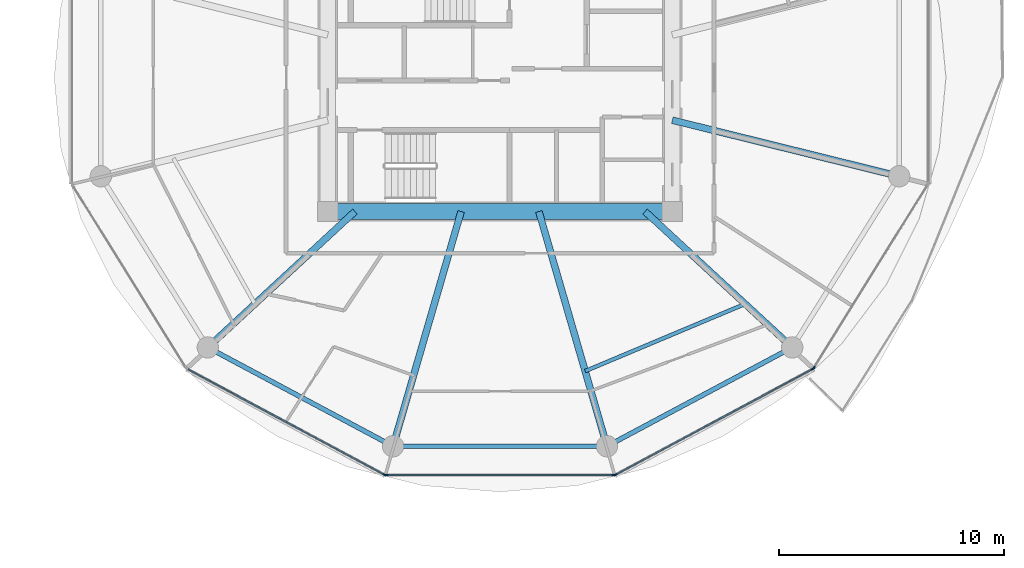
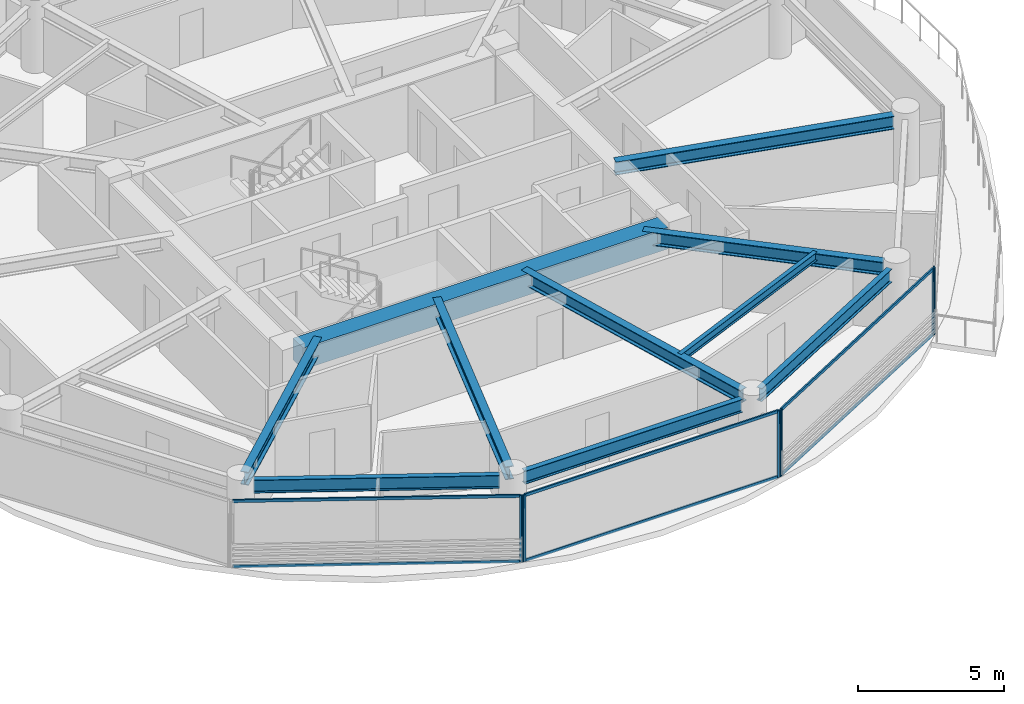
# One storey, part 11 of 28: 12 members, 10 beams, 4 elements without a shape of their own.
"""IFC4 building model written with IfcOpenShell, lengths in metres."""

from ifc_helpers import new_model, si_unit, direction, frame, origin, origin_2d, place, context, subcontext, project, spatial, rectangle, i_section, extrude, source, transform, mapped, material, layer, layer_set, material_profile, profile_set, type_object, type_shapes, element, aggregate, save


model = new_model("IFC4")

# Units and contexts
model_context = context("Model", 3, precision=1e-05, world=origin(), true_north=direction((0.0, 1.0)))
body_context = subcontext(model_context, "Body", "Model", "MODEL_VIEW")
ifc_project = project(units=[si_unit("LENGTHUNIT", "METRE"), si_unit("AREAUNIT", "SQUARE_METRE"), si_unit("VOLUMEUNIT", "CUBIC_METRE"), si_unit("PLANEANGLEUNIT", "RADIAN"), si_unit("MASSUNIT", "GRAM", prefix="KILO")], contexts=[model_context])

# Site, building, storey
site_placement = place(None, origin())
site = spatial("IfcSite", under=ifc_project, at=site_placement, CompositionType="ELEMENT")
building_placement = place(site_placement, origin())
building = spatial("IfcBuilding", under=site, at=building_placement, Name="Norrkilde Senior Care Towers", CompositionType="ELEMENT")
storey_placement = place(building_placement, frame((0.0, 0.0, 39.89990234375)))
storey = spatial("IfcBuildingStorey", under=building, at=storey_placement, Name="L11", CompositionType="ELEMENT", Elevation=39.89990234375)

# Beams
ifc_material_1 = material(Name="Concrete C60/75", Category="concrete")
ifc_material_profile_1 = material_profile(ifc_material_1, rectangle(XDim=0.699951171875, YDim=0.89990234375, at=origin_2d()), Name="RC BM 700x900")
ifc_profile_set_1 = profile_set([ifc_material_profile_1], Name="Concrete C60/75")
beam_type_1 = type_object("IfcBeamType", Name="Core Coupling Girder 700x900", PredefinedType="USERDEFINED", material=ifc_profile_set_1)
shared_shape_1 = source(origin(), body_context, "Body", "SweptSolid", [
    extrude(rectangle(XDim=0.699951171875, YDim=0.89990234375, at=origin_2d()), origin(), (0.0, 0.0, 1.0), 14.43994140625),
])
type_shapes(beam_type_1, [shared_shape_1])
beam_1_placement = place(storey_placement, frame((20.780029296875, -5.949951171875, 2.340087890625), z_axis=(1.0, 0.0, 0.0), x_axis=(0.0, 1.0, 0.0)))
element("IfcBeam", 1, at=beam_1_placement, inside=storey, type_object=beam_type_1, Name="L11 Core E S Coupling Girder", ObjectType="GIRDER", PredefinedType="USERDEFINED", context=body_context, shape_type="MappedRepresentation", body=[
    mapped(shared_shape_1, transform((0.0, 0.0, 0.0), x_axis=(1.0, 0.0, 0.0), y_axis=(0.0, 1.0, 0.0), z_axis=(0.0, 0.0, 1.0), scale=1.0)),
])
ifc_material_2 = material(Name="Steel S355", Category="steel")
ifc_material_profile_2 = material_profile(ifc_material_2, i_section(OverallWidth=0.300048828125, OverallDepth=0.550048828125, WebThickness=0.014892578125, FlangeThickness=0.029052734375, FilletRadius=0.027099609375, at=origin_2d()), Name="HEB 550")
ifc_profile_set_2 = profile_set([ifc_material_profile_2], Name="Steel S355")
beam_type_2 = type_object("IfcBeamType", Name="Radial Floor Beam Z1 HEB550", PredefinedType="BEAM", material=ifc_profile_set_2)
shared_shape_2 = source(origin(), body_context, "Body", "SweptSolid", [
    extrude(i_section(OverallWidth=0.300048828125, OverallDepth=0.550048828125, WebThickness=0.014892578125, FlangeThickness=0.029052734375, FilletRadius=0.027099609375, at=origin_2d()), origin(), (0.0, 0.0, 1.0), 9.94384765625),
])
beam_2_placement = place(storey_placement, frame((35.64990234375, -1.893310546875, 2.51513671875), z_axis=(0.970707425182, -0.240264634718, 0.0), x_axis=(0.240264634718, 0.970707425182, 0.0)))
element("IfcBeam", 2, at=beam_2_placement, inside=storey, type_object=beam_type_2, Name="L11 Drum E Radial Floor Beam 12", PredefinedType="BEAM", context=body_context, shape_type="MappedRepresentation", body=[
    mapped(shared_shape_2, transform((0.0, 0.0, 0.0), x_axis=(1.0, 0.0, 0.0), y_axis=(0.0, 1.0, 0.0), z_axis=(0.0, 0.0, 1.0), scale=1.0)),
])
ifc_material_profile_3 = material_profile(ifc_material_2, i_section(OverallWidth=0.2099609375, OverallDepth=0.550048828125, WebThickness=0.010986328125, FlangeThickness=0.01708984375, FilletRadius=0.02392578125, at=origin_2d()), Name="IPE 550")
ifc_profile_set_3 = profile_set([ifc_material_profile_3], Name="Steel S355")
beam_type_3 = type_object("IfcBeamType", Name="Perimeter Ring Spandrel Z1 IPE550", PredefinedType="SPANDREL", material=ifc_profile_set_3)
shared_shape_3 = source(origin(), body_context, "Body", "SweptSolid", [
    extrude(i_section(OverallWidth=0.2099609375, OverallDepth=0.550048828125, WebThickness=0.010986328125, FlangeThickness=0.01708984375, FilletRadius=0.02392578125, at=origin_2d()), origin(), (0.0, 0.0, 1.0), 8.452880859375),
])
for number, where, z_axis, x_axis, name in (
    (3, (15.408447265625, -12.190185546875, 2.51513671875), (0.882368931134, -0.470558252898, 0.0), (0.470558252898, 0.882368931134, 0.0), "L11 Drum E Perimeter Spandrel 08"),
    (4, (33.133056640625, -16.167724609375, 2.51513671875), (0.882368931134, 0.470558252898, 0.0), (-0.470558252898, 0.882368931134, 0.0), "L11 Drum E Perimeter Spandrel 10"),
):
    element("IfcBeam", number, at=place(storey_placement, frame(where, z_axis=z_axis, x_axis=x_axis)), inside=storey, type_object=beam_type_3, Name=name, PredefinedType="SPANDREL", context=body_context, shape_type="MappedRepresentation", body=[
        mapped(shared_shape_3, transform((0.0, 0.0, 0.0), x_axis=(1.0, 0.0, 0.0), y_axis=(0.0, 1.0, 0.0), z_axis=(0.0, 0.0, 1.0), scale=1.0)),
    ])
shared_shape_4 = source(origin(), body_context, "Body", "SweptSolid", [
    extrude(i_section(OverallWidth=0.300048828125, OverallDepth=0.550048828125, WebThickness=0.014892578125, FlangeThickness=0.029052734375, FilletRadius=0.027099609375, at=origin_2d()), origin(), (0.0, 0.0, 1.0), 8.459716796875),
])
for number, where, z_axis, x_axis, name in (
    (5, (21.55859375, -5.949951171875, 2.51513671875), (-0.734573269108, -0.678529374686, 0.0), (0.678529374686, -0.734573269108, 0.0), "L11 Drum E Radial Floor Beam 08"),
    (6, (34.44140625, -5.949951171875, 2.51513671875), (0.734573269108, -0.678529374686, 0.0), (0.678529374686, 0.734573269108, 0.0), "L11 Drum E Radial Floor Beam 11"),
):
    element("IfcBeam", number, at=place(storey_placement, frame(where, z_axis=z_axis, x_axis=x_axis)), inside=storey, type_object=beam_type_2, Name=name, PredefinedType="BEAM", context=body_context, shape_type="MappedRepresentation", body=[
        mapped(shared_shape_4, transform((0.0, 0.0, 0.0), x_axis=(1.0, 0.0, 0.0), y_axis=(0.0, 1.0, 0.0), z_axis=(0.0, 0.0, 1.0), scale=1.0)),
    ])
shared_shape_5 = source(origin(), body_context, "Body", "SweptSolid", [
    extrude(i_section(OverallWidth=0.2099609375, OverallDepth=0.550048828125, WebThickness=0.010986328125, FlangeThickness=0.01708984375, FilletRadius=0.02392578125, at=origin_2d()), origin(), (0.0, 0.0, 1.0), 8.62841796875),
])
type_shapes(beam_type_3, [shared_shape_3, shared_shape_5])
beam_3_placement = place(storey_placement, frame((23.685791015625, -16.37255859375, 2.51513671875), z_axis=(1.0, 0.0, 0.0), x_axis=(0.0, 1.0, 0.0)))
element("IfcBeam", 7, at=beam_3_placement, inside=storey, type_object=beam_type_3, Name="L11 Drum E Perimeter Spandrel 09", PredefinedType="SPANDREL", context=body_context, shape_type="MappedRepresentation", body=[
    mapped(shared_shape_5, transform((0.0, 0.0, 0.0), x_axis=(1.0, 0.0, 0.0), y_axis=(0.0, 1.0, 0.0), z_axis=(0.0, 0.0, 1.0), scale=1.0)),
])
shared_shape_6 = source(origin(), body_context, "Body", "SweptSolid", [
    extrude(i_section(OverallWidth=0.300048828125, OverallDepth=0.550048828125, WebThickness=0.014892578125, FlangeThickness=0.029052734375, FilletRadius=0.027099609375, at=origin_2d()), origin(), (0.0, 0.0, 1.0), 10.4169921875),
])
type_shapes(beam_type_2, [shared_shape_2, shared_shape_4, shared_shape_6])
for number, where, z_axis, x_axis, name in (
    (8, (26.27392578125, -5.949951171875, 2.51513671875), (-0.278591250785, -0.960409764104, 0.0), (0.960409764104, -0.278591250785, 0.0), "L11 Drum E Radial Floor Beam 09"),
    (9, (29.72607421875, -5.949951171875, 2.51513671875), (0.278591250785, -0.960409764104, 0.0), (0.960409764104, 0.278591250785, 0.0), "L11 Drum E Radial Floor Beam 10"),
):
    element("IfcBeam", number, at=place(storey_placement, frame(where, z_axis=z_axis, x_axis=x_axis)), inside=storey, type_object=beam_type_2, Name=name, PredefinedType="BEAM", context=body_context, shape_type="MappedRepresentation", body=[
        mapped(shared_shape_6, transform((0.0, 0.0, 0.0), x_axis=(1.0, 0.0, 0.0), y_axis=(0.0, 1.0, 0.0), z_axis=(0.0, 0.0, 1.0), scale=1.0)),
    ])
ifc_material_profile_4 = material_profile(ifc_material_2, i_section(OverallWidth=0.169921875, OverallDepth=0.360107421875, WebThickness=0.008056640625, FlangeThickness=0.0126953125, FilletRadius=0.01806640625, at=origin_2d()), Name="IPE 360")
ifc_profile_set_4 = profile_set([ifc_material_profile_4], Name="Steel S355")
beam_type_4 = type_object("IfcBeamType", Name="Secondary Floor Joist IPE360", PredefinedType="JOIST", material=ifc_profile_set_4)
shared_shape_7 = source(origin(), body_context, "Body", "SweptSolid", [
    extrude(i_section(OverallWidth=0.169921875, OverallDepth=0.360107421875, WebThickness=0.008056640625, FlangeThickness=0.0126953125, FilletRadius=0.01806640625, at=origin_2d()), origin(), (0.0, 0.0, 1.0), 7.703857421875),
])
type_shapes(beam_type_4, [shared_shape_7])
beam_4_placement = place(storey_placement, frame((31.78173828125, -13.037353515625, 2.610107421875), z_axis=(0.921982784465, 0.387230868023, 0.0), x_axis=(-0.387230868023, 0.921982784465, 0.0)))
element("IfcBeam", 10, at=beam_4_placement, inside=storey, type_object=beam_type_4, Name="L11 Drum E Secondary Floor Joist 4", PredefinedType="JOIST", context=body_context, shape_type="MappedRepresentation", body=[
    mapped(shared_shape_7, transform((0.0, 0.0, 0.0), x_axis=(1.0, 0.0, 0.0), y_axis=(0.0, 1.0, 0.0), z_axis=(0.0, 0.0, 1.0), scale=1.0)),
])

# Curtain wall, member
ifc_material_3 = material(Name="Triple Low-E Insulated Glazing", Category="glass")
ifc_layer = layer(ifc_material_3, 0.199951171875)
ifc_layer_set = layer_set([ifc_layer], Name="Triple Low-E Insulated Glazing")
curtain_wall_type = type_object("IfcCurtainWallType", Name="CW2 Zone 1 Memory Care Curtain Wall", PredefinedType="NOTDEFINED", material=ifc_layer_set)
curtain_wall_1_placement = place(storey_placement, origin())
curtain_wall_1 = element("IfcCurtainWall", 11, at=curtain_wall_1_placement, inside=storey, type_object=curtain_wall_type, Name="L11 Drum E Curtain Wall 07", PredefinedType="NOTDEFINED")
ifc_material_4 = material(Name="Anodised Aluminium", Category="aluminium")
ifc_material_profile_5 = material_profile(ifc_material_4, rectangle(XDim=0.06494140625, YDim=0.159912109375, at=origin_2d()), Name="ALU MULL 65x160")
ifc_profile_set_5 = profile_set([ifc_material_profile_5], Name="Anodised Aluminium")
member_type_1 = type_object("IfcMemberType", Name="Curtain Wall Mullion Z1-Z2 65x160", PredefinedType="MULLION", material=ifc_profile_set_5)
shared_shape_8 = source(origin(), body_context, "Body", "SweptSolid", [
    extrude(rectangle(XDim=0.06494140625, YDim=0.159912109375, at=origin_2d()), origin(), (0.0, 0.0, 1.0), 2.7900390625),
])
type_shapes(member_type_1, [shared_shape_8])
member_1_placement = place(storey_placement, frame((22.877685546875, -17.641845703125, 0.0), z_axis=(0.0, 0.0, 1.0), x_axis=(-0.472607802456, -0.881272866403, 0.0)))
member_1 = element("IfcMember", 12, at=member_1_placement, type_object=member_type_1, Name="CW-2 mullion 1", PredefinedType="MULLION", context=body_context, shape_type="MappedRepresentation", body=[
    mapped(shared_shape_8, transform((0.0, 0.0, 0.0), x_axis=(1.0, 0.0, 0.0), y_axis=(0.0, 1.0, 0.0), z_axis=(0.0, 0.0, 1.0), scale=1.0)),
])

# Curtain wall, members
curtain_wall_2_placement = place(storey_placement, origin())
curtain_wall_2 = element("IfcCurtainWall", 13, at=curtain_wall_2_placement, inside=storey, type_object=curtain_wall_type, Name="L11 Drum E Curtain Wall 08", PredefinedType="NOTDEFINED")
member_2_placement = place(storey_placement, frame((33.06103515625, -17.6572265625, 0.0), z_axis=(0.0, 0.0, 1.0), x_axis=(0.0, -1.0, 0.0)))
member_2 = element("IfcMember", 14, at=member_2_placement, type_object=member_type_1, Name="CW-2 mullion 1", PredefinedType="MULLION", context=body_context, shape_type="MappedRepresentation", body=[
    mapped(shared_shape_8, transform((0.0, 0.0, 0.0), x_axis=(1.0, 0.0, 0.0), y_axis=(0.0, 1.0, 0.0), z_axis=(0.0, 0.0, 1.0), scale=1.0)),
])
member_3_placement = place(storey_placement, frame((22.93896484375, -17.6572265625, 0.0), z_axis=(0.0, 0.0, 1.0), x_axis=(0.0, -1.0, 0.0)))
member_3 = element("IfcMember", 15, at=member_3_placement, type_object=member_type_1, Name="CW-2 mullion 2", PredefinedType="MULLION", context=body_context, shape_type="MappedRepresentation", body=[
    mapped(shared_shape_8, transform((0.0, 0.0, 0.0), x_axis=(1.0, 0.0, 0.0), y_axis=(0.0, 1.0, 0.0), z_axis=(0.0, 0.0, 1.0), scale=1.0)),
])

curtain_wall_3_placement = place(storey_placement, origin())
curtain_wall_3 = element("IfcCurtainWall", 16, at=curtain_wall_3_placement, inside=storey, type_object=curtain_wall_type, Name="L11 Drum E Curtain Wall 09", PredefinedType="NOTDEFINED")
member_4_placement = place(storey_placement, frame((41.88720703125, -12.941162109375, 0.0), z_axis=(0.0, 0.0, 1.0), x_axis=(0.472607802456, -0.881272866403, 0.0)))
member_4 = element("IfcMember", 17, at=member_4_placement, type_object=member_type_1, Name="CW-2 mullion 1", PredefinedType="MULLION", context=body_context, shape_type="MappedRepresentation", body=[
    mapped(shared_shape_8, transform((0.0, 0.0, 0.0), x_axis=(1.0, 0.0, 0.0), y_axis=(0.0, 1.0, 0.0), z_axis=(0.0, 0.0, 1.0), scale=1.0)),
])
member_5_placement = place(storey_placement, frame((33.122314453125, -17.641845703125, 0.0), z_axis=(0.0, 0.0, 1.0), x_axis=(0.472607802456, -0.881272866403, 0.0)))
member_5 = element("IfcMember", 18, at=member_5_placement, type_object=member_type_1, Name="CW-2 mullion 2", PredefinedType="MULLION", context=body_context, shape_type="MappedRepresentation", body=[
    mapped(shared_shape_8, transform((0.0, 0.0, 0.0), x_axis=(1.0, 0.0, 0.0), y_axis=(0.0, 1.0, 0.0), z_axis=(0.0, 0.0, 1.0), scale=1.0)),
])

# Curtain wall, member
curtain_wall_4_placement = place(storey_placement, origin())
curtain_wall_4 = element("IfcCurtainWall", 19, at=curtain_wall_4_placement, inside=storey, type_object=curtain_wall_type, Name="L11 Drum E Curtain Wall 10", PredefinedType="NOTDEFINED")
member_6_placement = place(storey_placement, frame((41.93310546875, -12.898193359375, 0.0), z_axis=(0.0, 0.0, 1.0), x_axis=(0.849305943117, -0.527900951871, 0.0)))
member_6 = element("IfcMember", 20, at=member_6_placement, type_object=member_type_1, Name="CW-2 mullion 2", PredefinedType="MULLION", context=body_context, shape_type="MappedRepresentation", body=[
    mapped(shared_shape_8, transform((0.0, 0.0, 0.0), x_axis=(1.0, 0.0, 0.0), y_axis=(0.0, 1.0, 0.0), z_axis=(0.0, 0.0, 1.0), scale=1.0)),
])
aggregate(curtain_wall_4, [member_6])

# Member
ifc_material_profile_6 = material_profile(ifc_material_4, rectangle(XDim=0.06005859375, YDim=0.1201171875, at=origin_2d()), Name="ALU TRAN 60x120")
ifc_profile_set_6 = profile_set([ifc_material_profile_6], Name="Anodised Aluminium")
member_type_2 = type_object("IfcMemberType", Name="Curtain Wall Transom Typical 60x120", PredefinedType="USERDEFINED", material=ifc_profile_set_6)
shared_shape_9 = source(origin(), body_context, "Body", "SweptSolid", [
    extrude(rectangle(XDim=0.06005859375, YDim=0.1201171875, at=origin_2d()), origin(), (0.0, 0.0, 1.0), 9.880859375),
])
member_7_placement = place(storey_placement, frame((22.84912109375, -17.62646484375, 0.030029296875), z_axis=(-0.881267204043, 0.47261836092, 0.0), x_axis=(-0.47261836092, -0.881267204043, 0.0)))
member_7 = element("IfcMember", 21, at=member_7_placement, type_object=member_type_2, Name="CW-2 transom 1.1", ObjectType="TRANSOM", PredefinedType="USERDEFINED", context=body_context, shape_type="MappedRepresentation", body=[
    mapped(shared_shape_9, transform((0.0, 0.0, 0.0), x_axis=(1.0, 0.0, 0.0), y_axis=(0.0, 1.0, 0.0), z_axis=(0.0, 0.0, 1.0), scale=1.0)),
])

member_8_placement = place(storey_placement, frame((22.84912109375, -17.62646484375, 2.760009765625), z_axis=(-0.881267204043, 0.47261836092, 0.0), x_axis=(-0.47261836092, -0.881267204043, 0.0)))
member_8 = element("IfcMember", 22, at=member_8_placement, type_object=member_type_2, Name="CW-2 transom 1.2", ObjectType="TRANSOM", PredefinedType="USERDEFINED", context=body_context, shape_type="MappedRepresentation", body=[
    mapped(shared_shape_9, transform((0.0, 0.0, 0.0), x_axis=(1.0, 0.0, 0.0), y_axis=(0.0, 1.0, 0.0), z_axis=(0.0, 0.0, 1.0), scale=1.0)),
])

aggregate(curtain_wall_1, [member_1, member_7, member_8])

member_9_placement = place(storey_placement, frame((41.858642578125, -12.95654296875, 0.030029296875), z_axis=(-0.881267204043, -0.47261836092, 0.0), x_axis=(0.47261836092, -0.881267204043, 0.0)))
member_9 = element("IfcMember", 23, at=member_9_placement, type_object=member_type_2, Name="CW-2 transom 1.1", ObjectType="TRANSOM", PredefinedType="USERDEFINED", context=body_context, shape_type="MappedRepresentation", body=[
    mapped(shared_shape_9, transform((0.0, 0.0, 0.0), x_axis=(1.0, 0.0, 0.0), y_axis=(0.0, 1.0, 0.0), z_axis=(0.0, 0.0, 1.0), scale=1.0)),
])

member_10_placement = place(storey_placement, frame((41.858642578125, -12.95654296875, 2.760009765625), z_axis=(-0.881267204043, -0.47261836092, 0.0), x_axis=(0.47261836092, -0.881267204043, 0.0)))
member_10 = element("IfcMember", 24, at=member_10_placement, type_object=member_type_2, Name="CW-2 transom 1.2", ObjectType="TRANSOM", PredefinedType="USERDEFINED", context=body_context, shape_type="MappedRepresentation", body=[
    mapped(shared_shape_9, transform((0.0, 0.0, 0.0), x_axis=(1.0, 0.0, 0.0), y_axis=(0.0, 1.0, 0.0), z_axis=(0.0, 0.0, 1.0), scale=1.0)),
])

aggregate(curtain_wall_3, [member_4, member_5, member_9, member_10])

shared_shape_10 = source(origin(), body_context, "Body", "SweptSolid", [
    extrude(rectangle(XDim=0.06005859375, YDim=0.1201171875, at=origin_2d()), origin(), (0.0, 0.0, 1.0), 10.05712890625),
])
type_shapes(member_type_2, [shared_shape_9, shared_shape_10])
member_11_placement = place(storey_placement, frame((33.028564453125, -17.6572265625, 0.030029296875), z_axis=(-1.0, 0.0, 0.0), x_axis=(0.0, -1.0, 0.0)))
member_11 = element("IfcMember", 25, at=member_11_placement, type_object=member_type_2, Name="CW-2 transom 1.1", ObjectType="TRANSOM", PredefinedType="USERDEFINED", context=body_context, shape_type="MappedRepresentation", body=[
    mapped(shared_shape_10, transform((0.0, 0.0, 0.0), x_axis=(1.0, 0.0, 0.0), y_axis=(0.0, 1.0, 0.0), z_axis=(0.0, 0.0, 1.0), scale=1.0)),
])

member_12_placement = place(storey_placement, frame((33.028564453125, -17.6572265625, 2.760009765625), z_axis=(-1.0, 0.0, 0.0), x_axis=(0.0, -1.0, 0.0)))
member_12 = element("IfcMember", 26, at=member_12_placement, type_object=member_type_2, Name="CW-2 transom 1.2", ObjectType="TRANSOM", PredefinedType="USERDEFINED", context=body_context, shape_type="MappedRepresentation", body=[
    mapped(shared_shape_10, transform((0.0, 0.0, 0.0), x_axis=(1.0, 0.0, 0.0), y_axis=(0.0, 1.0, 0.0), z_axis=(0.0, 0.0, 1.0), scale=1.0)),
])

aggregate(curtain_wall_2, [member_2, member_3, member_11, member_12])

save(model, "model.ifc")
